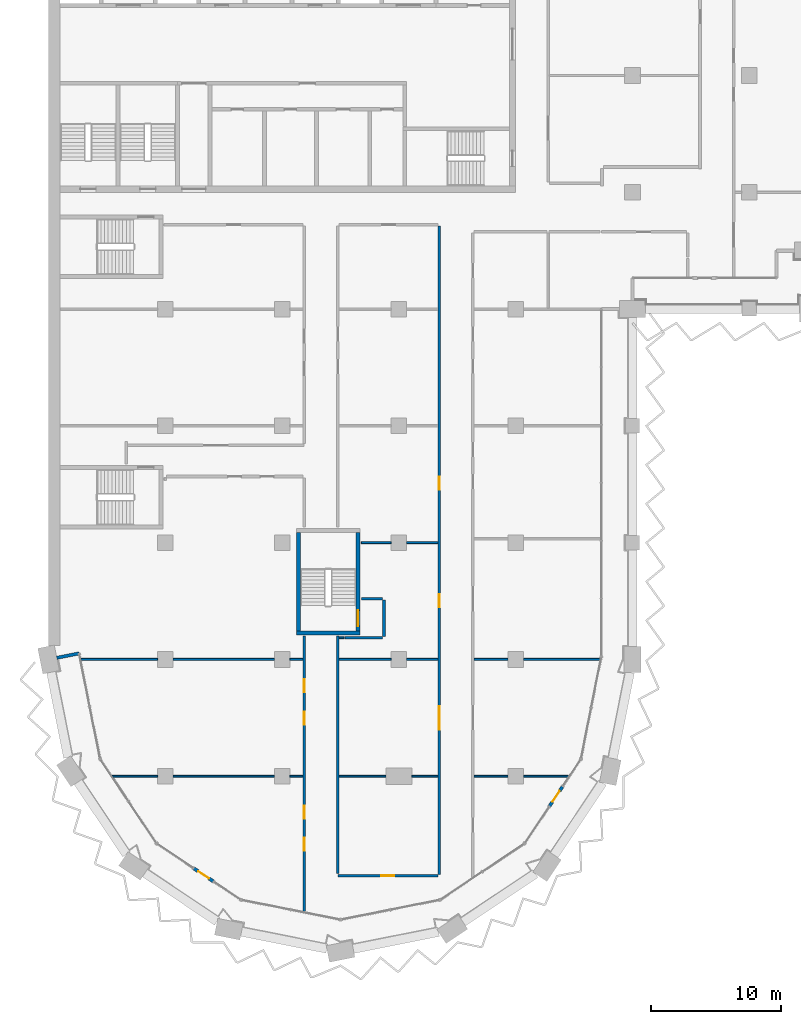
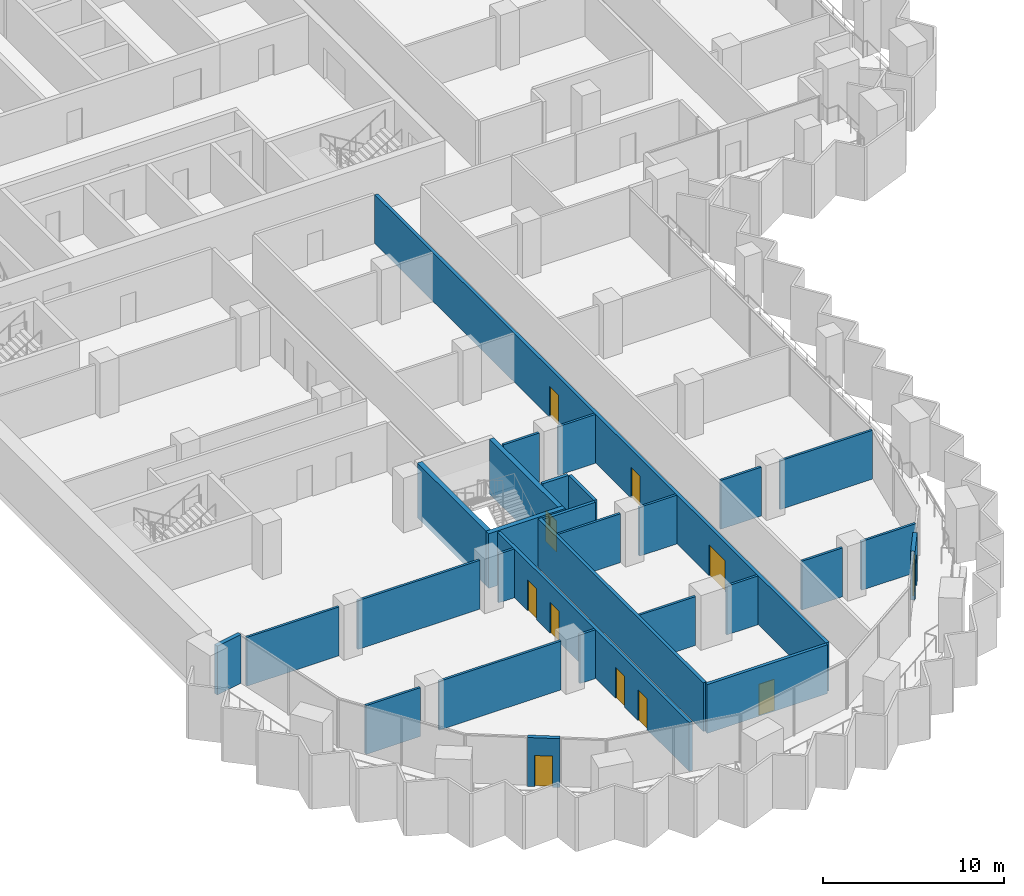
# One storey, part 9 of 23: 30 walls, 11 doors, 11 openings.
"""IFC4 building model written with IfcOpenShell, lengths in metres."""

import ifcopenshell
import ifcopenshell.guid

model = None  # the IFC model being written
_history = None  # IfcOwnerHistory: only IFC2X3 demands one
_inside = {}  # id of a spatial element -> (the spatial element, [elements in it])
_under = {}  # id of a project, library or spatial element -> (it, [spatial elements below it])
_declared = {}  # id of a project -> (the project, [libraries it declares])
_typed = {}  # id of a type object -> (the type object, [elements of that type])
_made_of = {}  # id of a material, layer set ... -> (it, [elements and type objects made of it])


def new_model(schema):
    """Start an empty IFC model of exactly this schema.

    Asked for "IFC4X3", IfcOpenShell would pick the latest addendum, in which some entities
    have other attributes; the version numbers below select the first issue.
    IFC2X3 requires an IfcOwnerHistory on every rooted entity: one is made here for all.
    """
    global model, _history
    if schema == "IFC4X3":
        model = ifcopenshell.file(schema_version=(4, 3, 0, 0))
    else:
        model = ifcopenshell.file(schema=schema)
    _inside.clear()
    _under.clear()
    _declared.clear()
    _typed.clear()
    _made_of.clear()
    _history = None
    if model.schema == "IFC2X3":
        org = make("IfcOrganization", Name="unknown")
        user = make(
            "IfcPersonAndOrganization",
            ThePerson=make("IfcPerson", FamilyName="unknown"),
            TheOrganization=org,
        )
        app = make(
            "IfcApplication",
            ApplicationDeveloper=org,
            Version="unknown",
            ApplicationFullName="unknown",
            ApplicationIdentifier="unknown",
        )
        _history = make(
            "IfcOwnerHistory",
            OwningUser=user,
            OwningApplication=app,
            ChangeAction="ADDED",
            CreationDate=0,
        )
    return model


def make(cls, **values):
    """One entity of the class cls with the attributes given. An attribute that is None is left unset."""
    return model.create_entity(
        cls, **{name: value for name, value in values.items() if value is not None}
    )


def rooted(cls, **values):
    """An entity with a GlobalId (a new one), such as an element, a storey or a relation."""
    return make(cls, GlobalId=ifcopenshell.guid.new(), OwnerHistory=_history, **values)


def si_unit(unit_type, name, prefix=None):
    """IfcSIUnit, for example si_unit("LENGTHUNIT", "METRE", prefix="MILLI")."""
    return make("IfcSIUnit", UnitType=unit_type, Prefix=prefix, Name=name)


def assignment(units):
    """IfcUnitAssignment: the units of a project."""
    return None if units is None else make("IfcUnitAssignment", Units=units)


def point(xyz):
    """IfcCartesianPoint."""
    return None if xyz is None else make("IfcCartesianPoint", Coordinates=xyz)


def direction(xyz):
    """IfcDirection."""
    return None if xyz is None else make("IfcDirection", DirectionRatios=xyz)


def frame(location, z_axis=None, x_axis=None):
    """IfcAxis2Placement3D, a coordinate frame: its origin and axes. An axis left out is left unset."""
    return make(
        "IfcAxis2Placement3D",
        Location=point(location),
        Axis=direction(z_axis),
        RefDirection=direction(x_axis),
    )


def frame_2d(location, x_axis=None):
    """IfcAxis2Placement2D, a coordinate frame in the plane: its origin and x axis."""
    return make(
        "IfcAxis2Placement2D", Location=point(location), RefDirection=direction(x_axis)
    )


def origin():
    """The frame at (0, 0, 0) with its axes left unset."""
    return frame((0.0, 0.0, 0.0))


def place(relative_to, where):
    """IfcLocalPlacement: puts the frame where relative to a parent placement (None: the world)."""
    return make(
        "IfcLocalPlacement", PlacementRelTo=relative_to, RelativePlacement=where
    )


def context(
    kind, dimensions, precision=None, world=None, true_north=None, identifier=None
):
    """IfcGeometricRepresentationContext, for example the 3D "Model" context."""
    return make(
        "IfcGeometricRepresentationContext",
        ContextIdentifier=identifier,
        ContextType=kind,
        CoordinateSpaceDimension=dimensions,
        Precision=precision,
        WorldCoordinateSystem=world,
        TrueNorth=true_north,
    )


def subcontext(parent, identifier, kind, view, scale=None):
    """IfcGeometricRepresentationSubContext, for example "Body" below "Model"."""
    return make(
        "IfcGeometricRepresentationSubContext",
        ContextIdentifier=identifier,
        ContextType=kind,
        ParentContext=parent,
        TargetScale=scale,
        TargetView=view,
    )


def project(units=None, contexts=None):
    """IfcProject with its units and contexts."""
    return rooted(
        "IfcProject",
        Name="project",
        RepresentationContexts=contexts,
        UnitsInContext=assignment(units),
    )


def spatial(cls, under=None, at=None, **own):
    """A site, building, storey or space (cls), placed at a placement, below another one or the project."""
    s = rooted(cls, ObjectPlacement=at, **own)
    if under is not None:
        _under.setdefault(under.id(), (under, []))[1].append(s)
    return s


def profile(cls, at=None, kind="AREA", **sizes):
    """A parametric profile (cls). Its sizes go by their IFC names, for example OverallWidth=200.0."""
    return make(cls, ProfileType=kind, Position=at, **sizes)


def rectangle(**sizes):
    """IfcRectangleProfileDef."""
    return profile("IfcRectangleProfileDef", **sizes)


def extrude(swept, where, along, depth):
    """IfcExtrudedAreaSolid: the profile swept, set in the frame where, extruded along a direction by depth."""
    return make(
        "IfcExtrudedAreaSolid",
        SweptArea=swept,
        Position=where,
        ExtrudedDirection=direction(along),
        Depth=depth,
    )


def shape(context_of_items, identifier, shape_type, items):
    """IfcShapeRepresentation: the items that make up one representation, for example the "Body"."""
    return make(
        "IfcShapeRepresentation",
        ContextOfItems=context_of_items,
        RepresentationIdentifier=identifier,
        RepresentationType=shape_type,
        Items=items,
    )


def material(Name=None, Category=None):
    """IfcMaterial."""
    return make("IfcMaterial", Name=Name, Category=Category)


def layer(
    of_material, thickness, ventilated=None, Name=None, Category=None, Priority=None
):
    """IfcMaterialLayer: one layer of a wall or slab, of a material (None: an air gap)."""
    return make(
        "IfcMaterialLayer",
        Material=of_material,
        LayerThickness=thickness,
        IsVentilated=ventilated,
        Name=Name,
        Category=Category,
        Priority=Priority,
    )


def layer_set(layers, Name=None):
    """IfcMaterialLayerSet."""
    return make("IfcMaterialLayerSet", MaterialLayers=layers, LayerSetName=Name)


def made_of(thing, what):
    """Note that an element or type object is made of a material, layer set ...; save() writes the relation."""
    if what is not None:
        _made_of.setdefault(what.id(), (what, []))[1].append(thing)
    return thing


def type_object(cls, material=None, **own):
    """A type object (cls), such as IfcWallType, which elements share."""
    return made_of(rooted(cls, **own), material)


def element(
    cls,
    number,
    at=None,
    inside=None,
    cuts=None,
    type_object=None,
    material=None,
    context=None,
    identifier="Body",
    shape_type=None,
    held_by="IfcProductDefinitionShape",
    body=None,
    shapes=None,
    **own,
):
    """One element of the class cls, such as IfcWall. Its Tag is "e" and its number.

    at: its placement. inside: the storey or other place that contains it. cuts: it is an
    opening in that element (IfcRelVoidsElement). A single representation is given by context,
    identifier, shape_type and body (its items); several are given by shapes. held_by: the class
    of the entity that holds the representations. save() writes the other relations.
    """
    e = rooted(cls, Tag="e%d" % number, ObjectPlacement=at, **own)
    if body is not None:
        shapes = [shape(context, identifier, shape_type, body)]
    if shapes is not None:
        e.Representation = make(held_by, Representations=shapes)
    if inside is not None:
        _inside.setdefault(inside.id(), (inside, []))[1].append(e)
    if cuts is not None:
        rooted(
            "IfcRelVoidsElement", RelatingBuildingElement=cuts, RelatedOpeningElement=e
        )
    if type_object is not None:
        _typed.setdefault(type_object.id(), (type_object, []))[1].append(e)
    return made_of(e, material)


def fill(opening, filler):
    """IfcRelFillsElement: the door or window that sits in an opening."""
    return rooted(
        "IfcRelFillsElement",
        RelatingOpeningElement=opening,
        RelatedBuildingElement=filler,
    )


def aggregate(whole, parts):
    """IfcRelAggregates: a whole, such as a stair, and the parts it consists of."""
    return rooted("IfcRelAggregates", RelatingObject=whole, RelatedObjects=parts)


def save(model, path):
    """Write the relations noted so far, then the file.

    IfcRelAggregates (storeys below a building ...), IfcRelContainedInSpatialStructure (elements
    in a storey), IfcRelDefinesByType, IfcRelAssociatesMaterial and IfcRelDeclares: one each for
    every whole, place, type object, material and project.
    """
    for whole, parts in _under.values():
        aggregate(whole, parts)
    for where, things in _inside.values():
        rooted(
            "IfcRelContainedInSpatialStructure",
            RelatedElements=things,
            RelatingStructure=where,
        )
    for kind, things in _typed.values():
        rooted("IfcRelDefinesByType", RelatedObjects=things, RelatingType=kind)
    for what, things in _made_of.values():
        rooted("IfcRelAssociatesMaterial", RelatedObjects=things, RelatingMaterial=what)
    for by, libraries in _declared.values():
        rooted("IfcRelDeclares", RelatingContext=by, RelatedDefinitions=libraries)
    model.write(path)


model = new_model("IFC4")

# Units and contexts
model_context = context("Model", 3, precision=1e-05, world=origin(), true_north=direction((0.0, 1.0)))
body_context = subcontext(model_context, "Body", "Model", "MODEL_VIEW")
ifc_project = project(units=[si_unit("LENGTHUNIT", "METRE"), si_unit("AREAUNIT", "SQUARE_METRE"), si_unit("VOLUMEUNIT", "CUBIC_METRE"), si_unit("PLANEANGLEUNIT", "RADIAN"), si_unit("MASSUNIT", "GRAM", prefix="KILO")], contexts=[model_context])

# Site, building, storey
site_placement = place(None, origin())
site = spatial("IfcSite", under=ifc_project, at=site_placement, CompositionType="ELEMENT")
building_placement = place(site_placement, origin())
building = spatial("IfcBuilding", under=site, at=building_placement, Name="Hunhe Ridgeline Campus", CompositionType="ELEMENT")
storey_placement = place(building_placement, frame((0.0, 0.0, 152.300048828125)))
storey = spatial("IfcBuildingStorey", under=building, at=storey_placement, Name="L38", CompositionType="ELEMENT", Elevation=152.300048828125)

# Wall
ifc_material_1 = material(Name="Concrete C30", Category="concrete")
ifc_layer_1 = layer(ifc_material_1, 0.25)
ifc_layer_set_1 = layer_set([ifc_layer_1], Name="Corner return wall 250 Concrete C30")
wall_type_1 = type_object("IfcWallType", Name="Corner return wall 250 Concrete C30", PredefinedType="SOLIDWALL", material=ifc_layer_set_1)
wall_1_placement = place(storey_placement, frame((0.637451171875, 27.127685546875, 0.0), z_axis=(0.0, 0.0, 1.0), x_axis=(0.980842591884, 0.194801976239, 0.0)))
element("IfcWall", 1, at=wall_1_placement, inside=storey, type_object=wall_type_1, Name="Corner return wall 1", PredefinedType="SOLIDWALL", context=body_context, shape_type="SweptSolid", body=[
    extrude(rectangle(XDim=1.750732421875, YDim=0.25, at=frame_2d((0.87548828125, 0.0))), origin(), (0.0, 0.0, 1.0), 3.300048828125),
])

# Wall, opening, door
ifc_material_2 = material(Name="Gypsum board partition")
ifc_layer_2 = layer(ifc_material_2, 0.199951171875)
ifc_layer_set_2 = layer_set([ifc_layer_2], Name="Corridor partition 200 gypsum board on steel studs")
wall_type_2 = type_object("IfcWallType", Name="Corridor partition 200 gypsum board on steel studs", PredefinedType="PARTITIONING", material=ifc_layer_set_2)
wall_2_placement = place(storey_placement, frame((22.300048828125, 10.339111328125, 0.0), z_axis=(0.0, 0.0, 1.0), x_axis=(1.0, 0.0, 0.0)))
wall_2 = element("IfcWall", 2, at=wall_2_placement, inside=storey, type_object=wall_type_2, Name="F-L38-wall-001", PredefinedType="PARTITIONING", context=body_context, shape_type="SweptSolid", body=[
    extrude(rectangle(XDim=7.699951171875, YDim=0.199951171875, at=frame_2d((3.85009765625, 0.0))), origin(), (0.0, 0.0, 1.0), 3.300048828125),
])
opening_1_placement = place(wall_2_placement, frame((3.35009765625, 0.0, 0.0)))
opening_1 = element("IfcOpeningElement", 3, at=opening_1_placement, cuts=wall_2, Name="Opening RD1-001", PredefinedType="OPENING", context=body_context, shape_type="SweptSolid", body=[
    extrude(rectangle(XDim=1.0, YDim=2.10009765625, at=frame_2d((0.5, 1.050048828125))), frame((0.0, 0.10009765625, 0.0), z_axis=(0.0, -1.0, 0.0), x_axis=(1.0, 0.0, 0.0)), (0.0, 0.0, 1.0), 0.199951171875),
])
ifc_material_3 = material(Name="Timber door leaf", Category="wood")
door_type_1 = type_object("IfcDoorType", Name="Single fire door 1000x2100 timber FD60", OperationType="NOTDEFINED", PredefinedType="DOOR", material=ifc_material_3)
door_1_placement = place(opening_1_placement, origin())
door_1 = element("IfcDoor", 4, at=door_1_placement, inside=storey, type_object=door_type_1, Name="F-L38-door-001", OperationType="SINGLE_SWING_LEFT", OverallHeight=2.10009765625, OverallWidth=1.0, PredefinedType="DOOR", context=body_context, shape_type="SweptSolid", body=[
    extrude(rectangle(XDim=1.0, YDim=2.10009765625, at=frame_2d((0.5, 1.050048828125))), frame((0.0, 0.02490234375, 0.0), z_axis=(0.0, -1.0, 0.0), x_axis=(1.0, 0.0, 0.0)), (0.0, 0.0, 1.0), 0.050048828125),
])
fill(opening_1, door_1)

# Walls
wall_3_placement = place(storey_placement, frame((25.75, 28.675048828125, 0.0), z_axis=(0.0, 0.0, 1.0), x_axis=(-1.0, 0.0, 0.0)))
element("IfcWall", 5, at=wall_3_placement, inside=storey, type_object=wall_type_2, Name="F-L38-wall-016", PredefinedType="PARTITIONING", context=body_context, shape_type="SweptSolid", body=[
    extrude(rectangle(XDim=2.89990234375, YDim=0.199951171875, at=frame_2d((1.449951171875, 0.0))), origin(), (0.0, 0.0, 1.0), 3.300048828125),
])
wall_4_placement = place(storey_placement, frame((24.10400390625, 31.675048828125, 0.0), z_axis=(0.0, 0.0, 1.0), x_axis=(1.0, 0.0, 0.0)))
element("IfcWall", 6, at=wall_4_placement, inside=storey, type_object=wall_type_2, Name="F-L38-wall-018", PredefinedType="PARTITIONING", context=body_context, shape_type="SweptSolid", body=[
    extrude(rectangle(XDim=1.64599609375, YDim=0.199951171875, at=frame_2d((0.822998046875, 0.0))), origin(), (0.0, 0.0, 1.0), 3.300048828125),
])

# Wall, openings, doors
wall_5_placement = place(storey_placement, frame((19.699951171875, 7.56005859375, 0.0), z_axis=(0.0, 0.0, 1.0), x_axis=(0.0, 1.0, 0.0)))
wall_5 = element("IfcWall", 7, at=wall_5_placement, inside=storey, type_object=wall_type_2, Name="F-L38-wall-061", PredefinedType="PARTITIONING", context=body_context, shape_type="SweptSolid", body=[
    extrude(rectangle(XDim=21.23583984375, YDim=0.199951171875, at=frame_2d((10.617919921875, 0.0))), origin(), (0.0, 0.0, 1.0), 3.300048828125),
])
opening_2_placement = place(wall_5_placement, frame((4.6826171875, 0.0, 0.0)))
opening_2 = element("IfcOpeningElement", 8, at=opening_2_placement, cuts=wall_5, Name="Opening RD1-002", PredefinedType="OPENING", context=body_context, shape_type="SweptSolid", body=[
    extrude(rectangle(XDim=1.0, YDim=2.10009765625, at=frame_2d((0.5, 1.050048828125))), frame((0.0, 0.10009765625, 0.0), z_axis=(0.0, -1.0, 0.0), x_axis=(1.0, 0.0, 0.0)), (0.0, 0.0, 1.0), 0.199951171875),
])
opening_3_placement = place(wall_5_placement, frame((7.1826171875, 0.0, 0.0)))
opening_3 = element("IfcOpeningElement", 9, at=opening_3_placement, cuts=wall_5, Name="Opening RD1-004", PredefinedType="OPENING", context=body_context, shape_type="SweptSolid", body=[
    extrude(rectangle(XDim=1.0, YDim=2.10009765625, at=frame_2d((0.5, 1.050048828125))), frame((0.0, 0.10009765625, 0.0), z_axis=(0.0, -1.0, 0.0), x_axis=(1.0, 0.0, 0.0)), (0.0, 0.0, 1.0), 0.199951171875),
])
opening_4_placement = place(wall_5_placement, frame((14.415771484375, 0.0, 0.0)))
opening_4 = element("IfcOpeningElement", 10, at=opening_4_placement, cuts=wall_5, Name="Opening RD1-005", PredefinedType="OPENING", context=body_context, shape_type="SweptSolid", body=[
    extrude(rectangle(XDim=1.0, YDim=2.10009765625, at=frame_2d((0.5, 1.050048828125))), frame((0.0, 0.10009765625, 0.0), z_axis=(0.0, -1.0, 0.0), x_axis=(1.0, 0.0, 0.0)), (0.0, 0.0, 1.0), 0.199951171875),
])
opening_5_placement = place(wall_5_placement, frame((16.915771484375, 0.0, 0.0)))
opening_5 = element("IfcOpeningElement", 11, at=opening_5_placement, cuts=wall_5, Name="Opening RD1-008", PredefinedType="OPENING", context=body_context, shape_type="SweptSolid", body=[
    extrude(rectangle(XDim=1.0, YDim=2.10009765625, at=frame_2d((0.5, 1.050048828125))), frame((0.0, 0.10009765625, 0.0), z_axis=(0.0, -1.0, 0.0), x_axis=(1.0, 0.0, 0.0)), (0.0, 0.0, 1.0), 0.199951171875),
])
door_2_placement = place(opening_2_placement, frame((1.0, 0.0, 0.0), z_axis=(0.0, 0.0, 1.0), x_axis=(-1.0, 0.0, 0.0)))
door_2 = element("IfcDoor", 12, at=door_2_placement, inside=storey, type_object=door_type_1, Name="F-L38-door-002", OperationType="SINGLE_SWING_RIGHT", OverallHeight=2.10009765625, OverallWidth=1.0, PredefinedType="DOOR", context=body_context, shape_type="SweptSolid", body=[
    extrude(rectangle(XDim=1.0, YDim=2.10009765625, at=frame_2d((0.5, 1.050048828125))), frame((0.0, 0.02490234375, 0.0), z_axis=(0.0, -1.0, 0.0), x_axis=(1.0, 0.0, 0.0)), (0.0, 0.0, 1.0), 0.050048828125),
])
fill(opening_2, door_2)
door_3_placement = place(opening_3_placement, frame((1.0, 0.0, 0.0), z_axis=(0.0, 0.0, 1.0), x_axis=(-1.0, 0.0, 0.0)))
door_3 = element("IfcDoor", 13, at=door_3_placement, inside=storey, type_object=door_type_1, Name="F-L38-door-004", OperationType="SINGLE_SWING_LEFT", OverallHeight=2.10009765625, OverallWidth=1.0, PredefinedType="DOOR", context=body_context, shape_type="SweptSolid", body=[
    extrude(rectangle(XDim=1.0, YDim=2.10009765625, at=frame_2d((0.5, 1.050048828125))), frame((0.0, 0.02490234375, 0.0), z_axis=(0.0, -1.0, 0.0), x_axis=(1.0, 0.0, 0.0)), (0.0, 0.0, 1.0), 0.050048828125),
])
fill(opening_3, door_3)
door_4_placement = place(opening_4_placement, frame((1.0, 0.0, 0.0), z_axis=(0.0, 0.0, 1.0), x_axis=(-1.0, 0.0, 0.0)))
door_4 = element("IfcDoor", 14, at=door_4_placement, inside=storey, type_object=door_type_1, Name="F-L38-door-005", OperationType="SINGLE_SWING_LEFT", OverallHeight=2.10009765625, OverallWidth=1.0, PredefinedType="DOOR", context=body_context, shape_type="SweptSolid", body=[
    extrude(rectangle(XDim=1.0, YDim=2.10009765625, at=frame_2d((0.5, 1.050048828125))), frame((0.0, 0.02490234375, 0.0), z_axis=(0.0, -1.0, 0.0), x_axis=(1.0, 0.0, 0.0)), (0.0, 0.0, 1.0), 0.050048828125),
])
fill(opening_4, door_4)
door_5_placement = place(opening_5_placement, frame((1.0, 0.0, 0.0), z_axis=(0.0, 0.0, 1.0), x_axis=(-1.0, 0.0, 0.0)))
door_5 = element("IfcDoor", 15, at=door_5_placement, inside=storey, type_object=door_type_1, Name="F-L38-door-008", OperationType="SINGLE_SWING_LEFT", OverallHeight=2.10009765625, OverallWidth=1.0, PredefinedType="DOOR", context=body_context, shape_type="SweptSolid", body=[
    extrude(rectangle(XDim=1.0, YDim=2.10009765625, at=frame_2d((0.5, 1.050048828125))), frame((0.0, 0.02490234375, 0.0), z_axis=(0.0, -1.0, 0.0), x_axis=(1.0, 0.0, 0.0)), (0.0, 0.0, 1.0), 0.050048828125),
])
fill(opening_5, door_5)

# Walls
wall_6_placement = place(storey_placement, frame((22.300048828125, 28.7958984375, 0.0), z_axis=(0.0, 0.0, 1.0), x_axis=(0.0, -1.0, 0.0)))
element("IfcWall", 16, at=wall_6_placement, inside=storey, type_object=wall_type_2, Name="F-L38-wall-064", PredefinedType="PARTITIONING", context=body_context, shape_type="SweptSolid", body=[
    extrude(rectangle(XDim=18.292236328125, YDim=0.199951171875, at=frame_2d((9.14599609375, 0.0))), origin(), (0.0, 0.0, 1.0), 3.300048828125),
])
wall_7_placement = place(storey_placement, frame((25.85009765625, 31.574951171875, 0.0), z_axis=(0.0, 0.0, 1.0), x_axis=(0.0, -1.0, 0.0)))
element("IfcWall", 17, at=wall_7_placement, inside=storey, type_object=wall_type_2, Name="F-L38-wall-066", PredefinedType="PARTITIONING", context=body_context, shape_type="SweptSolid", body=[
    extrude(rectangle(XDim=2.800048828125, YDim=0.199951171875, at=frame_2d((1.39990234375, 0.0))), origin(), (0.0, 0.0, 1.0), 3.300048828125),
])

# Wall, openings, doors
wall_8_placement = place(storey_placement, frame((30.10009765625, 10.43896484375, 0.0), z_axis=(0.0, 0.0, 1.0), x_axis=(0.0, 1.0, 0.0)))
wall_8 = element("IfcWall", 18, at=wall_8_placement, inside=storey, type_object=wall_type_2, Name="F-L38-wall-067", PredefinedType="PARTITIONING", context=body_context, shape_type="SweptSolid", body=[
    extrude(rectangle(XDim=49.9609375, YDim=0.199951171875, at=frame_2d((24.98046875, 0.0))), origin(), (0.0, 0.0, 1.0), 3.300048828125),
])
opening_6_placement = place(wall_8_placement, frame((11.15087890625, 0.0, 0.0)))
opening_6 = element("IfcOpeningElement", 19, at=opening_6_placement, cuts=wall_8, Name="Opening RD2-006", PredefinedType="OPENING", context=body_context, shape_type="SweptSolid", body=[
    extrude(rectangle(XDim=1.800048828125, YDim=2.10009765625, at=frame_2d((0.89990234375, 1.050048828125))), frame((0.0, 0.10009765625, 0.0), z_axis=(0.0, -1.0, 0.0), x_axis=(1.0, 0.0, 0.0)), (0.0, 0.0, 1.0), 0.199951171875),
])
opening_7_placement = place(wall_8_placement, frame((20.589111328125, 0.0, 0.0)))
opening_7 = element("IfcOpeningElement", 20, at=opening_7_placement, cuts=wall_8, Name="Opening RD1-009", PredefinedType="OPENING", context=body_context, shape_type="SweptSolid", body=[
    extrude(rectangle(XDim=1.0, YDim=2.10009765625, at=frame_2d((0.5, 1.050048828125))), frame((0.0, 0.10009765625, 0.0), z_axis=(0.0, -1.0, 0.0), x_axis=(1.0, 0.0, 0.0)), (0.0, 0.0, 1.0), 0.199951171875),
])
opening_8_placement = place(wall_8_placement, frame((29.627197265625, 0.0, 0.0)))
opening_8 = element("IfcOpeningElement", 21, at=opening_8_placement, cuts=wall_8, Name="Opening RD1-011", PredefinedType="OPENING", context=body_context, shape_type="SweptSolid", body=[
    extrude(rectangle(XDim=1.0, YDim=2.10009765625, at=frame_2d((0.5, 1.050048828125))), frame((0.0, 0.10009765625, 0.0), z_axis=(0.0, -1.0, 0.0), x_axis=(1.0, 0.0, 0.0)), (0.0, 0.0, 1.0), 0.199951171875),
])
door_type_2 = type_object("IfcDoorType", Name="Double fire door 1800x2100 timber FD60", OperationType="DOUBLE_DOOR_SINGLE_SWING", PredefinedType="DOOR", material=ifc_material_3)
door_6_placement = place(opening_6_placement, origin())
door_6 = element("IfcDoor", 22, at=door_6_placement, inside=storey, type_object=door_type_2, Name="F-L38-door-006", OperationType="DOUBLE_DOOR_SINGLE_SWING", OverallHeight=2.10009765625, OverallWidth=1.800048828125, PredefinedType="DOOR", context=body_context, shape_type="SweptSolid", body=[
    extrude(rectangle(XDim=1.800048828125, YDim=2.10009765625, at=frame_2d((0.89990234375, 1.050048828125))), frame((0.0, 0.02490234375, 0.0), z_axis=(0.0, -1.0, 0.0), x_axis=(1.0, 0.0, 0.0)), (0.0, 0.0, 1.0), 0.050048828125),
])
fill(opening_6, door_6)
door_7_placement = place(opening_7_placement, origin())
door_7 = element("IfcDoor", 23, at=door_7_placement, inside=storey, type_object=door_type_1, Name="F-L38-door-009", OperationType="SINGLE_SWING_RIGHT", OverallHeight=2.10009765625, OverallWidth=1.0, PredefinedType="DOOR", context=body_context, shape_type="SweptSolid", body=[
    extrude(rectangle(XDim=1.0, YDim=2.10009765625, at=frame_2d((0.5, 1.050048828125))), frame((0.0, 0.02490234375, 0.0), z_axis=(0.0, -1.0, 0.0), x_axis=(1.0, 0.0, 0.0)), (0.0, 0.0, 1.0), 0.050048828125),
])
fill(opening_7, door_7)
door_8_placement = place(opening_8_placement, origin())
door_8 = element("IfcDoor", 24, at=door_8_placement, inside=storey, type_object=door_type_1, Name="F-L38-door-011", OperationType="SINGLE_SWING_RIGHT", OverallHeight=2.10009765625, OverallWidth=1.0, PredefinedType="DOOR", context=body_context, shape_type="SweptSolid", body=[
    extrude(rectangle(XDim=1.0, YDim=2.10009765625, at=frame_2d((0.5, 1.050048828125))), frame((0.0, 0.02490234375, 0.0), z_axis=(0.0, -1.0, 0.0), x_axis=(1.0, 0.0, 0.0)), (0.0, 0.0, 1.0), 0.050048828125),
])
fill(opening_8, door_8)

# Wall, opening, door
ifc_layer_3 = layer(ifc_material_1, 0.25)
ifc_layer_set_3 = layer_set([ifc_layer_3], Name="Loggia door pier wall 250 Concrete C30")
wall_type_3 = type_object("IfcWallType", Name="Loggia door pier wall 250 Concrete C30", PredefinedType="SOLIDWALL", material=ifc_layer_set_3)
wall_9_placement = place(storey_placement, frame((11.19970703125, 10.897705078125, 0.0), z_axis=(0.0, 0.0, 1.0), x_axis=(0.83146554274, -0.555576323502, 0.0)))
wall_9 = element("IfcWall", 25, at=wall_9_placement, inside=storey, type_object=wall_type_3, Name="Loggia door pier 1", PredefinedType="SOLIDWALL", context=body_context, shape_type="SweptSolid", body=[
    extrude(rectangle(XDim=1.800048828125, YDim=0.25, at=frame_2d((0.89990234375, 0.0))), origin(), (0.0, 0.0, 1.0), 3.300048828125),
])
opening_9_placement = place(wall_9_placement, frame((0.39990234375, 0.0, 0.0)))
opening_9 = element("IfcOpeningElement", 26, at=opening_9_placement, cuts=wall_9, Name="Opening BD302", PredefinedType="OPENING", context=body_context, shape_type="SweptSolid", body=[
    extrude(rectangle(XDim=1.0, YDim=2.10009765625, at=frame_2d((0.5, 1.050048828125))), frame((0.0, 0.125, 0.0), z_axis=(0.0, -1.0, 0.0), x_axis=(1.0, 0.0, 0.0)), (0.0, 0.0, 1.0), 0.25),
])
ifc_material_4 = material(Name="Aluminium 6063", Category="aluminium")
door_type_3 = type_object("IfcDoorType", Name="Loggia glazed door 1000x2100", OperationType="NOTDEFINED", PredefinedType="DOOR", material=ifc_material_4)
door_9_placement = place(opening_9_placement, frame((1.0, 0.0, 0.0), z_axis=(0.0, 0.0, 1.0), x_axis=(-1.0, 0.0, 0.0)))
door_9 = element("IfcDoor", 27, at=door_9_placement, inside=storey, type_object=door_type_3, Name="Loggia door BD302", OperationType="SINGLE_SWING_LEFT", OverallHeight=2.10009765625, OverallWidth=1.0, PredefinedType="DOOR", context=body_context, shape_type="SweptSolid", body=[
    extrude(rectangle(XDim=1.0, YDim=2.10009765625, at=frame_2d((0.5, 1.050048828125))), frame((0.0, 0.02490234375, 0.0), z_axis=(0.0, -1.0, 0.0), x_axis=(1.0, 0.0, 0.0)), (0.0, 0.0, 1.0), 0.050048828125),
])
fill(opening_9, door_9)

wall_10_placement = place(storey_placement, frame((38.602294921875, 15.69970703125, 0.0), z_axis=(0.0, 0.0, 1.0), x_axis=(0.555576323502, 0.83146554274, 0.0)))
wall_10 = element("IfcWall", 28, at=wall_10_placement, inside=storey, type_object=wall_type_3, Name="Loggia door pier 2", PredefinedType="SOLIDWALL", context=body_context, shape_type="SweptSolid", body=[
    extrude(rectangle(XDim=1.800048828125, YDim=0.25, at=frame_2d((0.89990234375, 0.0))), origin(), (0.0, 0.0, 1.0), 3.300048828125),
])
opening_10_placement = place(wall_10_placement, frame((0.39990234375, 0.0, 0.0)))
opening_10 = element("IfcOpeningElement", 29, at=opening_10_placement, cuts=wall_10, Name="Opening BD304", PredefinedType="OPENING", context=body_context, shape_type="SweptSolid", body=[
    extrude(rectangle(XDim=1.0, YDim=2.10009765625, at=frame_2d((0.5, 1.050048828125))), frame((0.0, 0.125, 0.0), z_axis=(0.0, -1.0, 0.0), x_axis=(1.0, 0.0, 0.0)), (0.0, 0.0, 1.0), 0.25),
])
door_10_placement = place(opening_10_placement, frame((1.0, 0.0, 0.0), z_axis=(0.0, 0.0, 1.0), x_axis=(-1.0, 0.0, 0.0)))
door_10 = element("IfcDoor", 30, at=door_10_placement, inside=storey, type_object=door_type_3, Name="Loggia door BD304", OperationType="SINGLE_SWING_LEFT", OverallHeight=2.10009765625, OverallWidth=1.0, PredefinedType="DOOR", context=body_context, shape_type="SweptSolid", body=[
    extrude(rectangle(XDim=1.0, YDim=2.10009765625, at=frame_2d((0.5, 1.050048828125))), frame((0.0, 0.02490234375, 0.0), z_axis=(0.0, -1.0, 0.0), x_axis=(1.0, 0.0, 0.0)), (0.0, 0.0, 1.0), 0.050048828125),
])
fill(opening_10, door_10)

# Walls
ifc_layer_4 = layer(ifc_material_2, 0.14990234375)
ifc_layer_set_4 = layer_set([ifc_layer_4], Name="Room partition 150 gypsum board on steel studs")
wall_type_4 = type_object("IfcWallType", Name="Room partition 150 gypsum board on steel studs", PredefinedType="PARTITIONING", material=ifc_layer_set_4)
wall_11_placement = place(storey_placement, frame((4.925537109375, 18.0, 0.0), z_axis=(0.0, 0.0, 1.0), x_axis=(1.0, 0.0, 0.0)))
element("IfcWall", 31, at=wall_11_placement, inside=storey, type_object=wall_type_4, Name="F-L38-wall-002", PredefinedType="PARTITIONING", context=body_context, shape_type="SweptSolid", body=[
    extrude(rectangle(XDim=3.474365234375, YDim=0.14990234375, at=frame_2d((1.7373046875, 0.0))), origin(), (0.0, 0.0, 1.0), 3.300048828125),
])
wall_12_placement = place(storey_placement, frame((9.60009765625, 18.0, 0.0), z_axis=(0.0, 0.0, 1.0), x_axis=(1.0, 0.0, 0.0)))
element("IfcWall", 32, at=wall_12_placement, inside=storey, type_object=wall_type_4, Name="F-L38-wall-003", PredefinedType="PARTITIONING", context=body_context, shape_type="SweptSolid", body=[
    extrude(rectangle(XDim=7.7998046875, YDim=0.14990234375, at=frame_2d((3.89990234375, 0.0))), origin(), (0.0, 0.0, 1.0), 3.300048828125),
])
wall_13_placement = place(storey_placement, frame((18.60009765625, 18.0, 0.0), z_axis=(0.0, 0.0, 1.0), x_axis=(1.0, 0.0, 0.0)))
element("IfcWall", 33, at=wall_13_placement, inside=storey, type_object=wall_type_4, Name="F-L38-wall-004", PredefinedType="PARTITIONING", context=body_context, shape_type="SweptSolid", body=[
    extrude(rectangle(XDim=1.0, YDim=0.14990234375, at=frame_2d((0.5, 0.0))), origin(), (0.0, 0.0, 1.0), 3.300048828125),
])
wall_14_placement = place(storey_placement, frame((22.39990234375, 18.0, 0.0), z_axis=(0.0, 0.0, 1.0), x_axis=(1.0, 0.0, 0.0)))
element("IfcWall", 34, at=wall_14_placement, inside=storey, type_object=wall_type_4, Name="F-L38-wall-005", PredefinedType="PARTITIONING", context=body_context, shape_type="SweptSolid", body=[
    extrude(rectangle(XDim=3.60009765625, YDim=0.14990234375, at=frame_2d((1.800048828125, 0.0))), origin(), (0.0, 0.0, 1.0), 3.300048828125),
])
wall_15_placement = place(storey_placement, frame((28.0, 18.0, 0.0), z_axis=(0.0, 0.0, 1.0), x_axis=(1.0, 0.0, 0.0)))
element("IfcWall", 35, at=wall_15_placement, inside=storey, type_object=wall_type_4, Name="F-L38-wall-006", PredefinedType="PARTITIONING", context=body_context, shape_type="SweptSolid", body=[
    extrude(rectangle(XDim=2.0, YDim=0.14990234375, at=frame_2d((1.0, 0.0))), origin(), (0.0, 0.0, 1.0), 3.300048828125),
])
wall_16_placement = place(storey_placement, frame((32.800048828125, 18.0, 0.0), z_axis=(0.0, 0.0, 1.0), x_axis=(1.0, 0.0, 0.0)))
element("IfcWall", 36, at=wall_16_placement, inside=storey, type_object=wall_type_4, Name="F-L38-wall-007", PredefinedType="PARTITIONING", context=body_context, shape_type="SweptSolid", body=[
    extrude(rectangle(XDim=2.599853515625, YDim=0.14990234375, at=frame_2d((1.2998046875, 0.0))), origin(), (0.0, 0.0, 1.0), 3.300048828125),
])
wall_17_placement = place(storey_placement, frame((36.60009765625, 18.0, 0.0), z_axis=(0.0, 0.0, 1.0), x_axis=(1.0, 0.0, 0.0)))
element("IfcWall", 37, at=wall_17_placement, inside=storey, type_object=wall_type_4, Name="F-L38-wall-008", PredefinedType="PARTITIONING", context=body_context, shape_type="SweptSolid", body=[
    extrude(rectangle(XDim=3.474365234375, YDim=0.14990234375, at=frame_2d((1.7373046875, 0.0))), origin(), (0.0, 0.0, 1.0), 3.300048828125),
])
wall_18_placement = place(storey_placement, frame((2.503173828125, 27.0, 0.0), z_axis=(0.0, 0.0, 1.0), x_axis=(1.0, 0.0, 0.0)))
element("IfcWall", 38, at=wall_18_placement, inside=storey, type_object=wall_type_4, Name="F-L38-wall-009", PredefinedType="PARTITIONING", context=body_context, shape_type="SweptSolid", body=[
    extrude(rectangle(XDim=5.896728515625, YDim=0.14990234375, at=frame_2d((2.9482421875, 0.0))), origin(), (0.0, 0.0, 1.0), 3.300048828125),
])
wall_19_placement = place(storey_placement, frame((9.60009765625, 27.0, 0.0), z_axis=(0.0, 0.0, 1.0), x_axis=(1.0, 0.0, 0.0)))
element("IfcWall", 39, at=wall_19_placement, inside=storey, type_object=wall_type_4, Name="F-L38-wall-010", PredefinedType="PARTITIONING", context=body_context, shape_type="SweptSolid", body=[
    extrude(rectangle(XDim=7.7998046875, YDim=0.14990234375, at=frame_2d((3.89990234375, 0.0))), origin(), (0.0, 0.0, 1.0), 3.300048828125),
])
wall_20_placement = place(storey_placement, frame((18.60009765625, 27.0, 0.0), z_axis=(0.0, 0.0, 1.0), x_axis=(1.0, 0.0, 0.0)))
element("IfcWall", 40, at=wall_20_placement, inside=storey, type_object=wall_type_4, Name="F-L38-wall-011", PredefinedType="PARTITIONING", context=body_context, shape_type="SweptSolid", body=[
    extrude(rectangle(XDim=1.0, YDim=0.14990234375, at=frame_2d((0.5, 0.0))), origin(), (0.0, 0.0, 1.0), 3.300048828125),
])
wall_21_placement = place(storey_placement, frame((22.39990234375, 27.0, 0.0), z_axis=(0.0, 0.0, 1.0), x_axis=(1.0, 0.0, 0.0)))
element("IfcWall", 41, at=wall_21_placement, inside=storey, type_object=wall_type_4, Name="F-L38-wall-012", PredefinedType="PARTITIONING", context=body_context, shape_type="SweptSolid", body=[
    extrude(rectangle(XDim=4.0, YDim=0.14990234375, at=frame_2d((2.0, 0.0))), origin(), (0.0, 0.0, 1.0), 3.300048828125),
])
wall_22_placement = place(storey_placement, frame((27.60009765625, 27.0, 0.0), z_axis=(0.0, 0.0, 1.0), x_axis=(1.0, 0.0, 0.0)))
element("IfcWall", 42, at=wall_22_placement, inside=storey, type_object=wall_type_4, Name="F-L38-wall-013", PredefinedType="PARTITIONING", context=body_context, shape_type="SweptSolid", body=[
    extrude(rectangle(XDim=2.39990234375, YDim=0.14990234375, at=frame_2d((1.199951171875, 0.0))), origin(), (0.0, 0.0, 1.0), 3.300048828125),
])
wall_23_placement = place(storey_placement, frame((32.800048828125, 27.0, 0.0), z_axis=(0.0, 0.0, 1.0), x_axis=(1.0, 0.0, 0.0)))
element("IfcWall", 43, at=wall_23_placement, inside=storey, type_object=wall_type_4, Name="F-L38-wall-014", PredefinedType="PARTITIONING", context=body_context, shape_type="SweptSolid", body=[
    extrude(rectangle(XDim=2.599853515625, YDim=0.14990234375, at=frame_2d((1.2998046875, 0.0))), origin(), (0.0, 0.0, 1.0), 3.300048828125),
])
wall_24_placement = place(storey_placement, frame((36.60009765625, 27.0, 0.0), z_axis=(0.0, 0.0, 1.0), x_axis=(1.0, 0.0, 0.0)))
element("IfcWall", 44, at=wall_24_placement, inside=storey, type_object=wall_type_4, Name="F-L38-wall-015", PredefinedType="PARTITIONING", context=body_context, shape_type="SweptSolid", body=[
    extrude(rectangle(XDim=5.896728515625, YDim=0.14990234375, at=frame_2d((2.9482421875, 0.0))), origin(), (0.0, 0.0, 1.0), 3.300048828125),
])
wall_25_placement = place(storey_placement, frame((22.39990234375, 28.675048828125, 0.0), z_axis=(0.0, 0.0, 1.0), x_axis=(1.0, 0.0, 0.0)))
element("IfcWall", 45, at=wall_25_placement, inside=storey, type_object=wall_type_4, Name="F-L38-wall-017", PredefinedType="PARTITIONING", context=body_context, shape_type="SweptSolid", body=[
    extrude(rectangle(XDim=0.379638671875, YDim=0.14990234375, at=frame_2d((0.18994140625, 0.0))), origin(), (0.0, 0.0, 1.0), 3.300048828125),
])
wall_26_placement = place(storey_placement, frame((24.10400390625, 36.0, 0.0), z_axis=(0.0, 0.0, 1.0), x_axis=(1.0, 0.0, 0.0)))
element("IfcWall", 46, at=wall_26_placement, inside=storey, type_object=wall_type_4, Name="F-L38-wall-019", PredefinedType="PARTITIONING", context=body_context, shape_type="SweptSolid", body=[
    extrude(rectangle(XDim=2.2958984375, YDim=0.14990234375, at=frame_2d((1.14794921875, 0.0))), origin(), (0.0, 0.0, 1.0), 3.300048828125),
])
wall_27_placement = place(storey_placement, frame((27.60009765625, 36.0, 0.0), z_axis=(0.0, 0.0, 1.0), x_axis=(1.0, 0.0, 0.0)))
element("IfcWall", 47, at=wall_27_placement, inside=storey, type_object=wall_type_4, Name="F-L38-wall-020", PredefinedType="PARTITIONING", context=body_context, shape_type="SweptSolid", body=[
    extrude(rectangle(XDim=2.39990234375, YDim=0.14990234375, at=frame_2d((1.199951171875, 0.0))), origin(), (0.0, 0.0, 1.0), 3.300048828125),
])
ifc_material_5 = material(Name="Concrete C70", Category="concrete")
ifc_layer_5 = layer(ifc_material_5, 0.300048828125)
ifc_layer_set_5 = layer_set([ifc_layer_5], Name="Stair wall 300 reinforced concrete C70")
wall_type_5 = type_object("IfcWallType", Name="Stair wall 300 reinforced concrete C70", PredefinedType="SOLIDWALL", material=ifc_layer_set_5)
wall_28_placement = place(storey_placement, frame((19.10009765625, 29.050048828125, -0.400146484375), z_axis=(0.0, 0.0, 1.0), x_axis=(1.0, 0.0, 0.0)))
element("IfcWall", 48, at=wall_28_placement, inside=storey, type_object=wall_type_5, Name="L38 core wall 1", PredefinedType="SOLIDWALL", context=body_context, shape_type="SweptSolid", body=[
    extrude(rectangle(XDim=4.89990234375, YDim=0.300048828125, at=frame_2d((2.449951171875, 0.0))), origin(), (0.0, 0.0, 1.0), 3.7001953125),
])
wall_29_placement = place(storey_placement, frame((19.25, 29.199951171875, -0.400146484375), z_axis=(0.0, 0.0, 1.0), x_axis=(0.0, 1.0, 0.0)))
element("IfcWall", 49, at=wall_29_placement, inside=storey, type_object=wall_type_5, Name="L38 core wall 46", PredefinedType="SOLIDWALL", context=body_context, shape_type="SweptSolid", body=[
    extrude(rectangle(XDim=7.60009765625, YDim=0.300048828125, at=frame_2d((3.800048828125, 0.0))), origin(), (0.0, 0.0, 1.0), 3.7001953125),
])

# Wall, opening, door
wall_30_placement = place(storey_placement, frame((23.85009765625, 29.199951171875, -0.400146484375), z_axis=(0.0, 0.0, 1.0), x_axis=(0.0, 1.0, 0.0)))
wall_30 = element("IfcWall", 50, at=wall_30_placement, inside=storey, type_object=wall_type_5, Name="L38 core wall 51", PredefinedType="SOLIDWALL", context=body_context, shape_type="SweptSolid", body=[
    extrude(rectangle(XDim=7.60009765625, YDim=0.300048828125, at=frame_2d((3.800048828125, 0.0))), origin(), (0.0, 0.0, 1.0), 3.7001953125),
])
opening_11_placement = place(wall_30_placement, frame((0.375, 0.0, 0.39990234375)))
opening_11 = element("IfcOpeningElement", 51, at=opening_11_placement, cuts=wall_30, Name="Opening CD23", PredefinedType="OPENING", context=body_context, shape_type="SweptSolid", body=[
    extrude(rectangle(XDim=1.199951171875, YDim=2.10009765625, at=frame_2d((0.60009765625, 1.050048828125))), frame((0.0, 0.14990234375, 0.0), z_axis=(0.0, -1.0, 0.0), x_axis=(1.0, 0.0, 0.0)), (0.0, 0.0, 1.0), 0.300048828125),
])
ifc_material_6 = material(Name="Hollow metal fire door leaf")
door_type_4 = type_object("IfcDoorType", Name="Stair door 1200x2100 FD60", OperationType="SINGLE_SWING_LEFT", PredefinedType="DOOR", material=ifc_material_6)
door_11_placement = place(opening_11_placement, frame((1.199951171875, 0.0, 0.0), z_axis=(0.0, 0.0, 1.0), x_axis=(-1.0, 0.0, 0.0)))
door_11 = element("IfcDoor", 52, at=door_11_placement, inside=storey, type_object=door_type_4, Name="L38 door W3", OperationType="SINGLE_SWING_RIGHT", OverallHeight=2.10009765625, OverallWidth=1.199951171875, PredefinedType="DOOR", context=body_context, shape_type="SweptSolid", body=[
    extrude(rectangle(XDim=1.199951171875, YDim=2.10009765625, at=frame_2d((0.60009765625, 1.050048828125))), frame((0.0, 0.02490234375, 0.0), z_axis=(0.0, -1.0, 0.0), x_axis=(1.0, 0.0, 0.0)), (0.0, 0.0, 1.0), 0.050048828125),
])
fill(opening_11, door_11)

save(model, "model.ifc")
